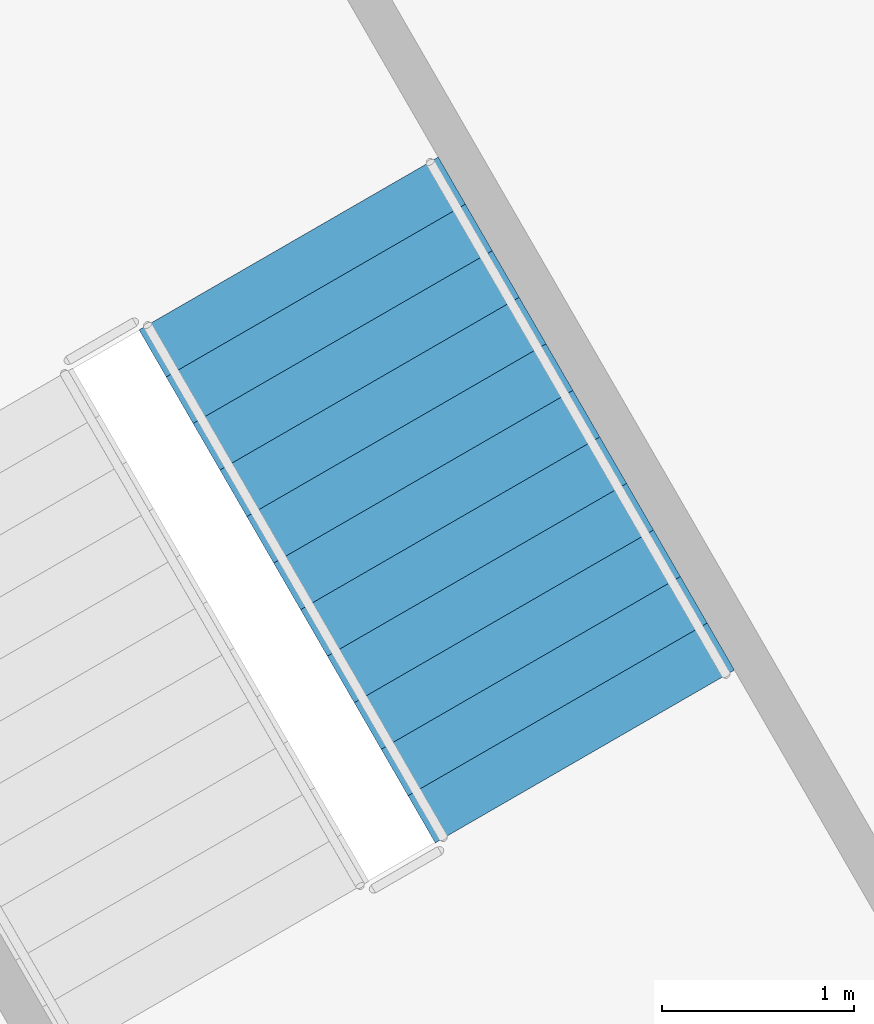
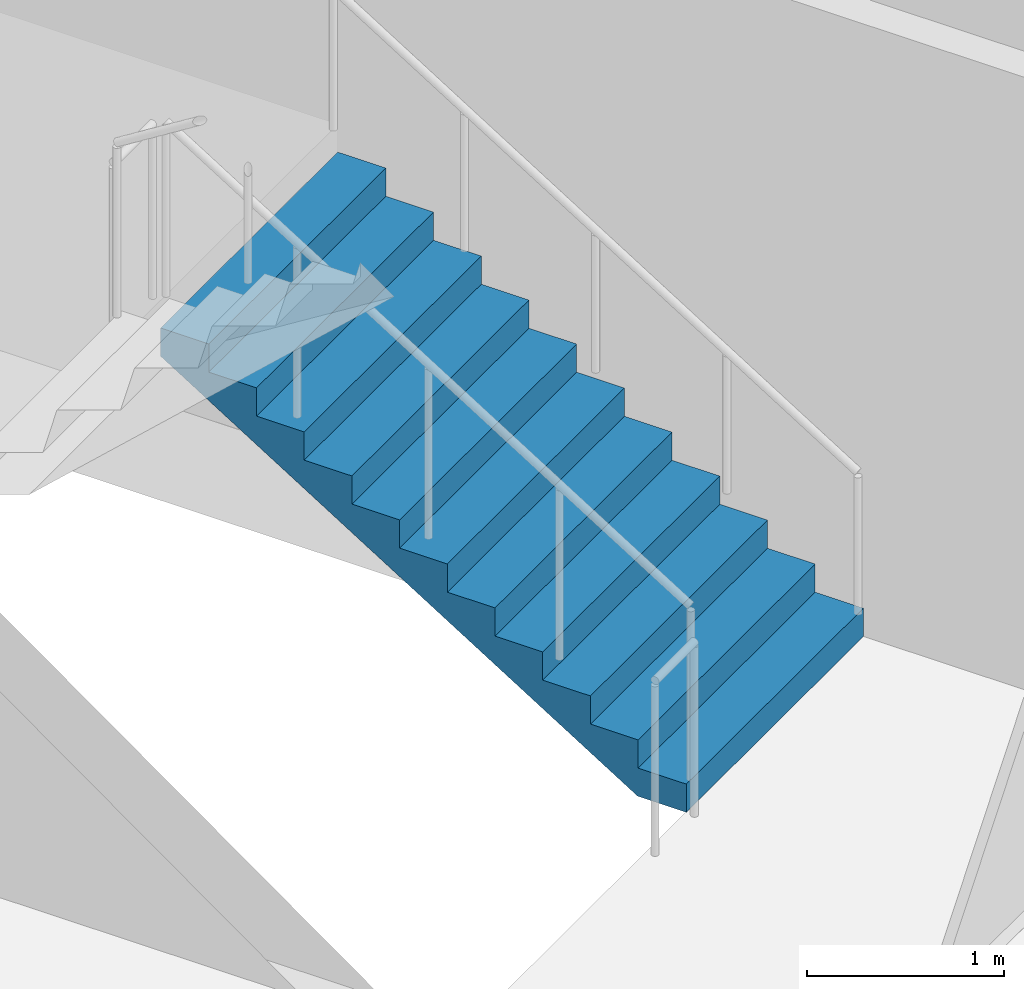
# One storey, part 12 of 16: 1 stair flight, 1 element without a shape of its own.
"""IFC4 building model written with IfcOpenShell, lengths in metres."""

from ifc_helpers import new_model, si_unit, direction, frame, origin, place, context, subcontext, project, spatial, polyline, outline, extrude, material, type_object, element, aggregate, save


model = new_model("IFC4")

# Units and contexts
model_context = context("Model", 3, precision=1e-05, world=origin(), true_north=direction((0.0, 1.0)))
body_context = subcontext(model_context, "Body", "Model", "MODEL_VIEW")
ifc_project = project(units=[si_unit("LENGTHUNIT", "METRE"), si_unit("AREAUNIT", "SQUARE_METRE"), si_unit("VOLUMEUNIT", "CUBIC_METRE"), si_unit("PLANEANGLEUNIT", "RADIAN"), si_unit("MASSUNIT", "GRAM", prefix="KILO")], contexts=[model_context])

# Site, building, storey
site_placement = place(None, origin())
site = spatial("IfcSite", under=ifc_project, at=site_placement, CompositionType="ELEMENT")
building_placement = place(site_placement, origin())
building = spatial("IfcBuilding", under=site, at=building_placement, Name="Entoto Arch Interchange Tower", CompositionType="ELEMENT")
storey_placement = place(building_placement, frame((0.0, 0.0, 138.199951171875)))
storey = spatial("IfcBuildingStorey", under=building, at=storey_placement, Name="L30", CompositionType="ELEMENT", Elevation=138.199951171875)

# Stair, stair flight
ifc_material = material(Name="Concrete C40/50", Category="concrete")
stair_type = type_object("IfcStairType", Name="EXIT STAIR RC 1800", PredefinedType="HALF_TURN_STAIR", material=ifc_material)
stair_placement = place(storey_placement, origin())
stair = element("IfcStair", 1, at=stair_placement, inside=storey, type_object=stair_type, Name="L30 Exit stair NE", PredefinedType="HALF_TURN_STAIR")
stair_flight_type = type_object("IfcStairFlightType", Name="EXIT STAIR FLIGHT RC 1800", PredefinedType="STRAIGHT", material=ifc_material)
stair_flight_placement = place(storey_placement, frame((6.7138671875, 4.470947265625, 0.0), z_axis=(0.0, 0.0, 1.0), x_axis=(-0.5, 0.866025403784, 0.0)))
stair_flight = element("IfcStairFlight", 2, at=stair_flight_placement, type_object=stair_flight_type, Name="ST-NE flight 1", NumberOfRisers=12, NumberOfTreads=11, PredefinedType="STRAIGHT", RiserHeight=0.175, TreadLength=0.28, context=body_context, shape_type="SweptSolid", body=[
    extrude(outline(polyline([(-0.0029296875, 0.0), (-0.0029296875, 0.175048828125), (0.280029296875, 0.175048828125), (0.280029296875, 0.35009765625), (0.56005859375, 0.35009765625), (0.56005859375, 0.52490234375), (0.840087890625, 0.52490234375), (0.840087890625, 0.699951171875), (1.1201171875, 0.699951171875), (1.1201171875, 0.875), (1.39990234375, 0.875), (1.39990234375, 1.050048828125), (1.679931640625, 1.050048828125), (1.679931640625, 1.22509765625), (1.9599609375, 1.22509765625), (1.9599609375, 1.39990234375), (2.239990234375, 1.39990234375), (2.239990234375, 1.574951171875), (2.52001953125, 1.574951171875), (2.52001953125, 1.75), (2.800048828125, 1.75), (2.800048828125, 1.925048828125), (3.080078125, 1.925048828125), (3.0830078125, 1.925048828125), (3.0830078125, 1.75), (0.28271484375, 0.0), (-0.0029296875, 0.0)])), frame((0.0, 0.89990234375, 0.0), z_axis=(0.0, -1.0, 0.0), x_axis=(1.0, 0.0, 0.0)), (0.0, 0.0, 1.0), 1.800048828125),
])
aggregate(stair, [stair_flight])

save(model, "model.ifc")
